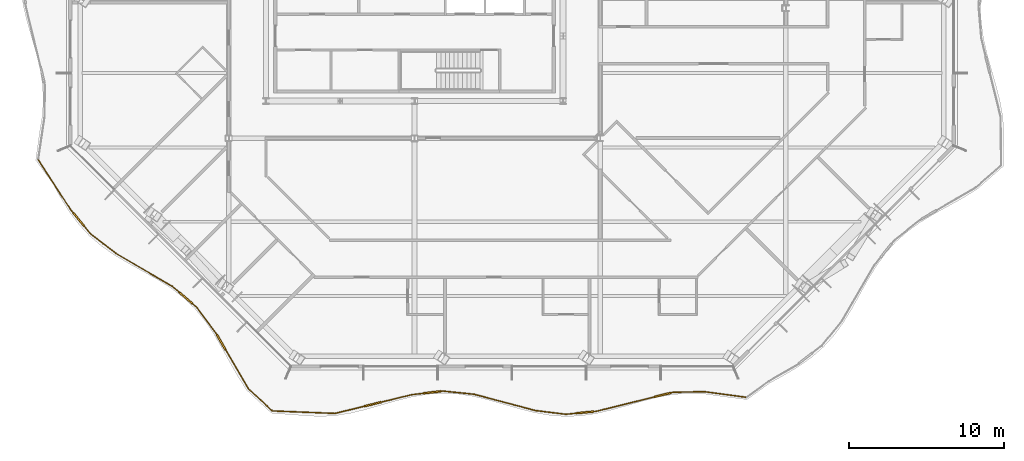
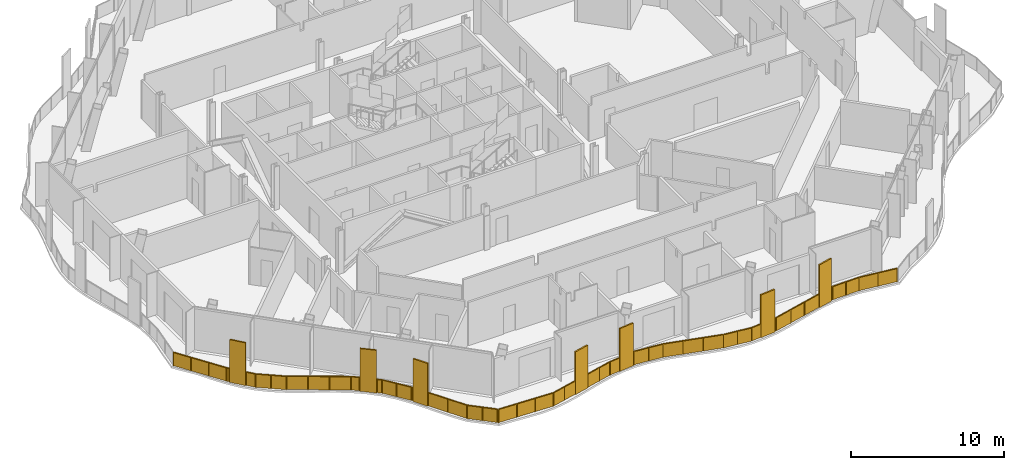
# One storey, part 15 of 19: 2 railings.
"""IFC4 building model written with IfcOpenShell, lengths in metres."""

from ifc_helpers import new_model, si_unit, direction, frame, origin, origin_2d, place, context, subcontext, project, spatial, polyline, rectangle, outline, extrude, material, type_object, element, save


model = new_model("IFC4")

# Units and contexts
model_context = context("Model", 3, precision=1e-05, world=origin(), true_north=direction((0.0, 1.0)))
body_context = subcontext(model_context, "Body", "Model", "MODEL_VIEW")
ifc_project = project(units=[si_unit("LENGTHUNIT", "METRE"), si_unit("AREAUNIT", "SQUARE_METRE"), si_unit("VOLUMEUNIT", "CUBIC_METRE"), si_unit("PLANEANGLEUNIT", "RADIAN"), si_unit("MASSUNIT", "GRAM", prefix="KILO")], contexts=[model_context])

# Site, building, storey
site_placement = place(None, origin())
site = spatial("IfcSite", under=ifc_project, at=site_placement, CompositionType="ELEMENT")
building_placement = place(site_placement, origin())
building = spatial("IfcBuilding", under=site, at=building_placement, Name="Cairn Pilgrim Tower", CompositionType="ELEMENT")
storey_placement = place(building_placement, frame((0.0, 0.0, 193.800048828125)))
storey = spatial("IfcBuildingStorey", under=building, at=storey_placement, Name="L49", CompositionType="ELEMENT", Elevation=193.800048828125)

# Railings
ifc_material = material(Name="Bronze anodised aluminium rail, posts and fin screens with laminated glass infill", Category="aluminium")
railing_type = type_object("IfcRailingType", Name="BALCONY GUARD WITH FIN SCREENS", PredefinedType="GUARDRAIL", material=ifc_material)
railing_1_placement = place(storey_placement, frame((-1.990234375, -26.03271484375, 0.0)))
element("IfcRailing", 1, at=railing_1_placement, inside=storey, type_object=railing_type, Name="Balcony guard BGF-1 with fin screens", PredefinedType="GUARDRAIL", context=body_context, shape_type="SweptSolid", body=[
    extrude(rectangle(XDim=0.050048828125, YDim=0.050048828125, at=origin_2d()), frame((0.0, 0.0, 1.0751953125), z_axis=(0.999204031425, -0.039891146675, 0.0), x_axis=(0.039891146675, 0.999204031425, 0.0)), (0.0, 0.0, 1.0), 4.0576171875),
    extrude(rectangle(XDim=1.10009765625, YDim=0.110107421875, at=origin_2d()), frame((6.4892578125, 0.433349609375, 0.0), z_axis=(0.0, 0.0, 1.0), x_axis=(0.971390908523, 0.237486216104, 0.0)), (0.0, 0.0, 1.0), 3.39990234375),
    extrude(rectangle(XDim=0.050048828125, YDim=0.050048828125, at=origin_2d()), frame((4.054443359375, -0.161865234375, 1.0751953125), z_axis=(0.971390908523, 0.237486216104, 0.0), x_axis=(-0.237486216104, 0.971390908523, 0.0)), (0.0, 0.0, 1.0), 1.95654296875),
    extrude(rectangle(XDim=0.050048828125, YDim=0.050048828125, at=origin_2d()), frame((7.0234375, 0.56396484375, 1.0751953125), z_axis=(0.971390908523, 0.237486216104, 0.0), x_axis=(-0.237486216104, 0.971390908523, 0.0)), (0.0, 0.0, 1.0), 2.043701171875),
    extrude(rectangle(XDim=1.10009765625, YDim=0.110107421875, at=origin_2d()), frame((10.324951171875, 1.20263671875, 0.0), z_axis=(0.0, 0.0, 1.0), x_axis=(0.993295474853, 0.115603199076, 0.0)), (0.0, 0.0, 1.0), 3.39990234375),
    extrude(rectangle(XDim=0.050048828125, YDim=0.050048828125, at=origin_2d()), frame((9.008544921875, 1.04931640625, 1.0751953125), z_axis=(0.993295474853, 0.115603199076, 0.0), x_axis=(-0.115603199076, 0.993295474853, 0.0)), (0.0, 0.0, 1.0), 0.775390625),
    extrude(rectangle(XDim=0.050048828125, YDim=0.050048828125, at=origin_2d()), frame((10.871337890625, 1.26611328125, 1.0751953125), z_axis=(0.993295474853, 0.115603199076, 0.0), x_axis=(-0.115603199076, 0.993295474853, 0.0)), (0.0, 0.0, 1.0), 0.14990234375),
    extrude(rectangle(XDim=0.050048828125, YDim=0.050048828125, at=origin_2d()), frame((11.020263671875, 1.283447265625, 1.0751953125), z_axis=(0.994844327286, -0.101413827788, 0.0), x_axis=(0.101413827788, 0.994844327286, 0.0)), (0.0, 0.0, 1.0), 2.024658203125),
    extrude(rectangle(XDim=0.050048828125, YDim=0.050048828125, at=origin_2d()), frame((13.034423828125, 1.078125, 1.0751953125), z_axis=(0.966537824594, -0.256524138493, 0.0), x_axis=(0.256524138493, 0.966537824594, 0.0)), (0.0, 0.0, 1.0), 4.111572265625),
    extrude(rectangle(XDim=0.050048828125, YDim=0.050048828125, at=origin_2d()), frame((17.00830078125, 0.0234375, 1.0751953125), z_axis=(0.992644427735, -0.121066263206, 0.0), x_axis=(0.121066263206, 0.992644427735, 0.0)), (0.0, 0.0, 1.0), 1.97412109375),
    extrude(rectangle(XDim=1.10009765625, YDim=0.110107421875, at=origin_2d()), frame((20.230224609375, -0.09423828125, 0.0), z_axis=(0.0, 0.0, 1.0), x_axis=(0.995415391014, 0.09564621965, 0.0)), (0.0, 0.0, 1.0), 3.39990234375),
    extrude(rectangle(XDim=0.050048828125, YDim=0.050048828125, at=origin_2d()), frame((18.968017578125, -0.215576171875, 1.0751953125), z_axis=(0.995415391014, 0.09564621965, 0.0), x_axis=(-0.09564621965, 0.995415391014, 0.0)), (0.0, 0.0, 1.0), 0.718017578125),
    extrude(rectangle(XDim=0.050048828125, YDim=0.050048828125, at=origin_2d()), frame((20.77783203125, -0.041748046875, 1.0751953125), z_axis=(0.995415391014, 0.09564621965, 0.0), x_axis=(-0.09564621965, 0.995415391014, 0.0)), (0.0, 0.0, 1.0), 0.14990234375),
    extrude(rectangle(XDim=1.10009765625, YDim=0.110107421875, at=origin_2d()), frame((25.218505859375, 1.035888671875, 0.0), z_axis=(0.0, 0.0, 1.0), x_axis=(0.970647941455, 0.240504831032, 0.0)), (0.0, 0.0, 1.0), 3.39990234375),
    extrude(rectangle(XDim=0.050048828125, YDim=0.050048828125, at=origin_2d()), frame((20.927001953125, -0.02734375, 1.0751953125), z_axis=(0.970647941455, 0.240504831032, 0.0), x_axis=(-0.240504831032, 0.970647941455, 0.0)), (0.0, 0.0, 1.0), 3.871337890625),
    extrude(rectangle(XDim=0.050048828125, YDim=0.050048828125, at=origin_2d()), frame((25.75244140625, 1.168212890625, 1.0751953125), z_axis=(0.970647941455, 0.240504831032, 0.0), x_axis=(-0.240504831032, 0.970647941455, 0.0)), (0.0, 0.0, 1.0), 0.14990234375),
    extrude(rectangle(XDim=0.050048828125, YDim=0.050048828125, at=origin_2d()), frame((25.89794921875, 1.204345703125, 1.0751953125), z_axis=(0.999797727912, 0.020112266461, 0.0), x_axis=(-0.020112266461, 0.999797727912, 0.0)), (0.0, 0.0, 1.0), 2.01513671875),
    extrude(rectangle(XDim=0.050048828125, YDim=0.050048828125, at=origin_2d()), frame((27.91259765625, 1.244873046875, 1.0751953125), z_axis=(0.991166834119, -0.132620914424, 0.0), x_axis=(0.132620914424, 0.991166834119, 0.0)), (0.0, 0.0, 1.0), 2.693115234375),
    extrude(rectangle(XDim=0.050048828125, YDim=0.050048828125, at=origin_2d()), origin(), (0.0, 0.0, 1.0), 1.050048828125),
    extrude(rectangle(XDim=0.050048828125, YDim=0.050048828125, at=origin_2d()), frame((1.3515625, -0.053955078125, 0.0)), (0.0, 0.0, 1.0), 1.050048828125),
    extrude(rectangle(XDim=0.050048828125, YDim=0.050048828125, at=origin_2d()), frame((2.702880859375, -0.10791015625, 0.0)), (0.0, 0.0, 1.0), 1.050048828125),
    extrude(rectangle(XDim=0.050048828125, YDim=0.050048828125, at=origin_2d()), frame((4.054443359375, -0.161865234375, 0.0)), (0.0, 0.0, 1.0), 1.050048828125),
    extrude(rectangle(XDim=0.050048828125, YDim=0.050048828125, at=origin_2d()), frame((4.992431640625, 0.0673828125, 0.0)), (0.0, 0.0, 1.0), 1.050048828125),
    extrude(rectangle(XDim=0.050048828125, YDim=0.050048828125, at=origin_2d()), frame((5.9306640625, 0.296875, 0.0)), (0.0, 0.0, 1.0), 1.050048828125),
    extrude(rectangle(XDim=0.050048828125, YDim=0.050048828125, at=origin_2d()), frame((7.0478515625, 0.56982421875, 0.0)), (0.0, 0.0, 1.0), 1.050048828125),
    extrude(rectangle(XDim=0.050048828125, YDim=0.050048828125, at=origin_2d()), frame((8.028076171875, 0.8095703125, 0.0)), (0.0, 0.0, 1.0), 1.050048828125),
    extrude(rectangle(XDim=0.050048828125, YDim=0.050048828125, at=origin_2d()), frame((9.008544921875, 1.04931640625, 0.0)), (0.0, 0.0, 1.0), 1.050048828125),
    extrude(rectangle(XDim=0.050048828125, YDim=0.050048828125, at=origin_2d()), frame((9.75390625, 1.135986328125, 0.0)), (0.0, 0.0, 1.0), 1.050048828125),
    extrude(rectangle(XDim=0.050048828125, YDim=0.050048828125, at=origin_2d()), frame((10.896240234375, 1.26904296875, 0.0)), (0.0, 0.0, 1.0), 1.050048828125),
    extrude(rectangle(XDim=0.050048828125, YDim=0.050048828125, at=origin_2d()), frame((11.020263671875, 1.283447265625, 0.0)), (0.0, 0.0, 1.0), 1.050048828125),
    extrude(rectangle(XDim=0.050048828125, YDim=0.050048828125, at=origin_2d()), frame((12.02734375, 1.1806640625, 0.0)), (0.0, 0.0, 1.0), 1.050048828125),
    extrude(rectangle(XDim=0.050048828125, YDim=0.050048828125, at=origin_2d()), frame((13.034423828125, 1.078125, 0.0)), (0.0, 0.0, 1.0), 1.050048828125),
    extrude(rectangle(XDim=0.050048828125, YDim=0.050048828125, at=origin_2d()), frame((14.359130859375, 0.7265625, 0.0)), (0.0, 0.0, 1.0), 1.050048828125),
    extrude(rectangle(XDim=0.050048828125, YDim=0.050048828125, at=origin_2d()), frame((15.68359375, 0.375, 0.0)), (0.0, 0.0, 1.0), 1.050048828125),
    extrude(rectangle(XDim=0.050048828125, YDim=0.050048828125, at=origin_2d()), frame((17.00830078125, 0.0234375, 0.0)), (0.0, 0.0, 1.0), 1.050048828125),
    extrude(rectangle(XDim=0.050048828125, YDim=0.050048828125, at=origin_2d()), frame((17.98828125, -0.09619140625, 0.0)), (0.0, 0.0, 1.0), 1.050048828125),
    extrude(rectangle(XDim=0.050048828125, YDim=0.050048828125, at=origin_2d()), frame((18.968017578125, -0.215576171875, 0.0)), (0.0, 0.0, 1.0), 1.050048828125),
    extrude(rectangle(XDim=0.050048828125, YDim=0.050048828125, at=origin_2d()), frame((19.657958984375, -0.1494140625, 0.0)), (0.0, 0.0, 1.0), 1.050048828125),
    extrude(rectangle(XDim=0.050048828125, YDim=0.050048828125, at=origin_2d()), frame((20.802734375, -0.039306640625, 0.0)), (0.0, 0.0, 1.0), 1.050048828125),
    extrude(rectangle(XDim=0.050048828125, YDim=0.050048828125, at=origin_2d()), frame((20.927001953125, -0.02734375, 0.0)), (0.0, 0.0, 1.0), 1.050048828125),
    extrude(rectangle(XDim=0.050048828125, YDim=0.050048828125, at=origin_2d()), frame((22.17138671875, 0.281005859375, 0.0)), (0.0, 0.0, 1.0), 1.050048828125),
    extrude(rectangle(XDim=0.050048828125, YDim=0.050048828125, at=origin_2d()), frame((23.416015625, 0.58935546875, 0.0)), (0.0, 0.0, 1.0), 1.050048828125),
    extrude(rectangle(XDim=0.050048828125, YDim=0.050048828125, at=origin_2d()), frame((24.660400390625, 0.897705078125, 0.0)), (0.0, 0.0, 1.0), 1.050048828125),
    extrude(rectangle(XDim=0.050048828125, YDim=0.050048828125, at=origin_2d()), frame((25.776611328125, 1.17431640625, 0.0)), (0.0, 0.0, 1.0), 1.050048828125),
    extrude(rectangle(XDim=0.050048828125, YDim=0.050048828125, at=origin_2d()), frame((25.89794921875, 1.204345703125, 0.0)), (0.0, 0.0, 1.0), 1.050048828125),
    extrude(rectangle(XDim=0.050048828125, YDim=0.050048828125, at=origin_2d()), frame((26.9052734375, 1.224609375, 0.0)), (0.0, 0.0, 1.0), 1.050048828125),
    extrude(rectangle(XDim=0.050048828125, YDim=0.050048828125, at=origin_2d()), frame((27.91259765625, 1.244873046875, 0.0)), (0.0, 0.0, 1.0), 1.050048828125),
    extrude(rectangle(XDim=0.050048828125, YDim=0.050048828125, at=origin_2d()), frame((29.247314453125, 1.06640625, 0.0)), (0.0, 0.0, 1.0), 1.050048828125),
    extrude(rectangle(XDim=0.050048828125, YDim=0.050048828125, at=origin_2d()), frame((30.58203125, 0.8876953125, 0.0)), (0.0, 0.0, 1.0), 1.050048828125),
    extrude(outline(polyline([(0.02490234375, 0.0), (1.32763671875, 0.0), (1.32763671875, 1.050048828125), (0.02490234375, 1.050048828125), (0.02490234375, 0.0)])), frame((0.000244140625, 0.005859375, 0.0), z_axis=(-0.039891146675, -0.999204031425, 0.0), x_axis=(0.999204031425, -0.039891146675, 0.0)), (0.0, 0.0, 1.0), 0.011962890625),
    extrude(outline(polyline([(0.02490234375, 0.0), (1.32763671875, 0.0), (1.32763671875, 1.050048828125), (0.02490234375, 1.050048828125), (0.02490234375, 0.0)])), frame((1.351806640625, -0.048095703125, 0.0), z_axis=(-0.039891146675, -0.999204031425, 0.0), x_axis=(0.999204031425, -0.039891146675, 0.0)), (0.0, 0.0, 1.0), 0.011962890625),
    extrude(outline(polyline([(0.02490234375, 0.0), (1.32763671875, 0.0), (1.32763671875, 1.050048828125), (0.02490234375, 1.050048828125), (0.02490234375, 0.0)])), frame((2.703125, -0.10205078125, 0.0), z_axis=(-0.039891146675, -0.999204031425, 0.0), x_axis=(0.999204031425, -0.039891146675, 0.0)), (0.0, 0.0, 1.0), 0.011962890625),
    extrude(outline(polyline([(0.02490234375, 0.0), (0.940673828125, 0.0), (0.940673828125, 1.050048828125), (0.02490234375, 1.050048828125), (0.02490234375, 0.0)])), frame((4.052978515625, -0.156005859375, 0.0), z_axis=(0.237486216104, -0.971390908523, 0.0), x_axis=(0.971390908523, 0.237486216104, 0.0)), (0.0, 0.0, 1.0), 0.011962890625),
    extrude(outline(polyline([(0.02490234375, 0.0), (0.940673828125, 0.0), (0.940673828125, 1.050048828125), (0.02490234375, 1.050048828125), (0.02490234375, 0.0)])), frame((4.9912109375, 0.0732421875, 0.0), z_axis=(0.237486216104, -0.971390908523, 0.0), x_axis=(0.971390908523, 0.237486216104, 0.0)), (0.0, 0.0, 1.0), 0.011962890625),
    extrude(outline(polyline([(0.02490234375, 0.0), (0.984375, 0.0), (0.984375, 1.050048828125), (0.02490234375, 1.050048828125), (0.02490234375, 0.0)])), frame((7.04638671875, 0.57568359375, 0.0), z_axis=(0.237486216104, -0.971390908523, 0.0), x_axis=(0.971390908523, 0.237486216104, 0.0)), (0.0, 0.0, 1.0), 0.011962890625),
    extrude(outline(polyline([(0.02490234375, 0.0), (0.984375, 0.0), (0.984375, 1.050048828125), (0.02490234375, 1.050048828125), (0.02490234375, 0.0)])), frame((8.026611328125, 0.8154296875, 0.0), z_axis=(0.237486216104, -0.971390908523, 0.0), x_axis=(0.971390908523, 0.237486216104, 0.0)), (0.0, 0.0, 1.0), 0.011962890625),
    extrude(outline(polyline([(0.02490234375, 0.0), (0.725341796875, 0.0), (0.725341796875, 1.050048828125), (0.02490234375, 1.050048828125), (0.02490234375, 0.0)])), frame((9.0078125, 1.05517578125, 0.0), z_axis=(0.115603199076, -0.993295474853, 0.0), x_axis=(0.993295474853, 0.115603199076, 0.0)), (0.0, 0.0, 1.0), 0.011962890625),
    extrude(outline(polyline([(0.02490234375, 0.0), (0.099853515625, 0.0), (0.099853515625, 1.050048828125), (0.02490234375, 1.050048828125), (0.02490234375, 0.0)])), frame((10.8955078125, 1.27490234375, 0.0), z_axis=(0.115603199076, -0.993295474853, 0.0), x_axis=(0.993295474853, 0.115603199076, 0.0)), (0.0, 0.0, 1.0), 0.011962890625),
    extrude(outline(polyline([(0.02490234375, 0.0), (0.9873046875, 0.0), (0.9873046875, 1.050048828125), (0.02490234375, 1.050048828125), (0.02490234375, 0.0)])), frame((11.020751953125, 1.289306640625, 0.0), z_axis=(-0.101413827788, -0.994844327286, 0.0), x_axis=(0.994844327286, -0.101413827788, 0.0)), (0.0, 0.0, 1.0), 0.011962890625),
    extrude(outline(polyline([(0.02490234375, 0.0), (0.9873046875, 0.0), (0.9873046875, 1.050048828125), (0.02490234375, 1.050048828125), (0.02490234375, 0.0)])), frame((12.02783203125, 1.186767578125, 0.0), z_axis=(-0.101413827788, -0.994844327286, 0.0), x_axis=(0.994844327286, -0.101413827788, 0.0)), (0.0, 0.0, 1.0), 0.011962890625),
    extrude(outline(polyline([(0.02490234375, 0.0), (1.345458984375, 0.0), (1.345458984375, 1.050048828125), (0.02490234375, 1.050048828125), (0.02490234375, 0.0)])), frame((13.035888671875, 1.083984375, 0.0), z_axis=(-0.256524138493, -0.966537824594, 0.0), x_axis=(0.966537824594, -0.256524138493, 0.0)), (0.0, 0.0, 1.0), 0.011962890625),
    extrude(outline(polyline([(0.02490234375, 0.0), (1.345458984375, 0.0), (1.345458984375, 1.050048828125), (0.02490234375, 1.050048828125), (0.02490234375, 0.0)])), frame((14.360595703125, 0.732421875, 0.0), z_axis=(-0.256524138493, -0.966537824594, 0.0), x_axis=(0.966537824594, -0.256524138493, 0.0)), (0.0, 0.0, 1.0), 0.011962890625),
    extrude(outline(polyline([(0.02490234375, 0.0), (1.345458984375, 0.0), (1.345458984375, 1.050048828125), (0.02490234375, 1.050048828125), (0.02490234375, 0.0)])), frame((15.685302734375, 0.380859375, 0.0), z_axis=(-0.256524138493, -0.966537824594, 0.0), x_axis=(0.966537824594, -0.256524138493, 0.0)), (0.0, 0.0, 1.0), 0.011962890625),
    extrude(outline(polyline([(0.02490234375, 0.0), (0.962158203125, 0.0), (0.962158203125, 1.050048828125), (0.02490234375, 1.050048828125), (0.02490234375, 0.0)])), frame((17.009033203125, 0.029296875, 0.0), z_axis=(-0.121066263206, -0.992644427735, 0.0), x_axis=(0.992644427735, -0.121066263206, 0.0)), (0.0, 0.0, 1.0), 0.011962890625),
    extrude(outline(polyline([(0.02490234375, 0.0), (0.962158203125, 0.0), (0.962158203125, 1.050048828125), (0.02490234375, 1.050048828125), (0.02490234375, 0.0)])), frame((17.98876953125, -0.090087890625, 0.0), z_axis=(-0.121066263206, -0.992644427735, 0.0), x_axis=(0.992644427735, -0.121066263206, 0.0)), (0.0, 0.0, 1.0), 0.011962890625),
    extrude(outline(polyline([(0.02490234375, 0.0), (0.66796875, 0.0), (0.66796875, 1.050048828125), (0.02490234375, 1.050048828125), (0.02490234375, 0.0)])), frame((18.967529296875, -0.209716796875, 0.0), z_axis=(0.09564621965, -0.995415391014, 0.0), x_axis=(0.995415391014, 0.09564621965, 0.0)), (0.0, 0.0, 1.0), 0.011962890625),
    extrude(outline(polyline([(0.02490234375, 0.0), (0.099853515625, 0.0), (0.099853515625, 1.050048828125), (0.02490234375, 1.050048828125), (0.02490234375, 0.0)])), frame((20.802001953125, -0.033447265625, 0.0), z_axis=(0.09564621965, -0.995415391014, 0.0), x_axis=(0.995415391014, 0.09564621965, 0.0)), (0.0, 0.0, 1.0), 0.011962890625),
    extrude(outline(polyline([(0.02490234375, 0.0), (1.257080078125, 0.0), (1.257080078125, 1.050048828125), (0.02490234375, 1.050048828125), (0.02490234375, 0.0)])), frame((20.925537109375, -0.021484375, 0.0), z_axis=(0.240504831032, -0.970647941455, 0.0), x_axis=(0.970647941455, 0.240504831032, 0.0)), (0.0, 0.0, 1.0), 0.011962890625),
    extrude(outline(polyline([(0.02490234375, 0.0), (1.257080078125, 0.0), (1.257080078125, 1.050048828125), (0.02490234375, 1.050048828125), (0.02490234375, 0.0)])), frame((22.169921875, 0.286865234375, 0.0), z_axis=(0.240504831032, -0.970647941455, 0.0), x_axis=(0.970647941455, 0.240504831032, 0.0)), (0.0, 0.0, 1.0), 0.011962890625),
    extrude(outline(polyline([(0.02490234375, 0.0), (1.257080078125, 0.0), (1.257080078125, 1.050048828125), (0.02490234375, 1.050048828125), (0.02490234375, 0.0)])), frame((23.41455078125, 0.59521484375, 0.0), z_axis=(0.240504831032, -0.970647941455, 0.0), x_axis=(0.970647941455, 0.240504831032, 0.0)), (0.0, 0.0, 1.0), 0.011962890625),
    extrude(outline(polyline([(0.02490234375, 0.0), (0.099853515625, 0.0), (0.099853515625, 1.050048828125), (0.02490234375, 1.050048828125), (0.02490234375, 0.0)])), frame((25.775146484375, 1.18017578125, 0.0), z_axis=(0.240504831032, -0.970647941455, 0.0), x_axis=(0.970647941455, 0.240504831032, 0.0)), (0.0, 0.0, 1.0), 0.011962890625),
    extrude(outline(polyline([(0.02490234375, 0.0), (0.982421875, 0.0), (0.982421875, 1.050048828125), (0.02490234375, 1.050048828125), (0.02490234375, 0.0)])), frame((25.89794921875, 1.210205078125, 0.0), z_axis=(0.020112266461, -0.999797727912, 0.0), x_axis=(0.999797727912, 0.020112266461, 0.0)), (0.0, 0.0, 1.0), 0.011962890625),
    extrude(outline(polyline([(0.02490234375, 0.0), (0.982421875, 0.0), (0.982421875, 1.050048828125), (0.02490234375, 1.050048828125), (0.02490234375, 0.0)])), frame((26.9052734375, 1.23046875, 0.0), z_axis=(0.020112266461, -0.999797727912, 0.0), x_axis=(0.999797727912, 0.020112266461, 0.0)), (0.0, 0.0, 1.0), 0.011962890625),
    extrude(outline(polyline([(0.02490234375, 0.0), (1.321533203125, 0.0), (1.321533203125, 1.050048828125), (0.02490234375, 1.050048828125), (0.02490234375, 0.0)])), frame((27.913330078125, 1.250732421875, 0.0), z_axis=(-0.132620914424, -0.991166834119, 0.0), x_axis=(0.991166834119, -0.132620914424, 0.0)), (0.0, 0.0, 1.0), 0.011962890625),
    extrude(outline(polyline([(0.02490234375, 0.0), (1.321533203125, 0.0), (1.321533203125, 1.050048828125), (0.02490234375, 1.050048828125), (0.02490234375, 0.0)])), frame((29.248046875, 1.072265625, 0.0), z_axis=(-0.132620914424, -0.991166834119, 0.0), x_axis=(0.991166834119, -0.132620914424, 0.0)), (0.0, 0.0, 1.0), 0.011962890625),
])
railing_2_placement = place(storey_placement, frame((-17.132080078125, -9.78955078125, 0.0)))
element("IfcRailing", 2, at=railing_2_placement, inside=storey, type_object=railing_type, Name="Balcony guard BGF-8 with fin screens", PredefinedType="GUARDRAIL", context=body_context, shape_type="SweptSolid", body=[
    extrude(rectangle(XDim=0.050048828125, YDim=0.050048828125, at=origin_2d()), frame((0.0, 0.0, 1.0751953125), z_axis=(0.545199621841, -0.83830625212, 0.0), x_axis=(0.83830625212, 0.545199621841, 0.0)), (0.0, 0.0, 1.0), 3.89892578125),
    extrude(rectangle(XDim=1.10009765625, YDim=0.110107421875, at=origin_2d()), frame((2.62841796875, -3.873046875, 0.0), z_axis=(0.0, 0.0, 1.0), x_axis=(0.639268348959, -0.76898373066, 0.0)), (0.0, 0.0, 1.0), 3.39990234375),
    extrude(rectangle(XDim=0.050048828125, YDim=0.050048828125, at=origin_2d()), frame((2.125732421875, -3.2685546875, 1.0751953125), z_axis=(0.639268348959, -0.76898373066, 0.0), x_axis=(0.76898373066, 0.639268348959, 0.0)), (0.0, 0.0, 1.0), 0.236083984375),
    extrude(rectangle(XDim=0.050048828125, YDim=0.050048828125, at=origin_2d()), frame((2.97998046875, -4.296142578125, 1.0751953125), z_axis=(0.639268348959, -0.76898373066, 0.0), x_axis=(0.76898373066, 0.639268348959, 0.0)), (0.0, 0.0, 1.0), 0.683349609375),
    extrude(rectangle(XDim=0.050048828125, YDim=0.050048828125, at=origin_2d()), frame((3.416748046875, -4.821533203125, 1.0751953125), z_axis=(0.792673225692, -0.609646747938, 0.0), x_axis=(0.609646747938, 0.792673225692, 0.0)), (0.0, 0.0, 1.0), 2.027587890625),
    extrude(rectangle(XDim=0.050048828125, YDim=0.050048828125, at=origin_2d()), frame((5.02392578125, -6.0576171875, 1.0751953125), z_axis=(0.863604497181, -0.504169884512, 0.0), x_axis=(0.504169884512, 0.863604497181, 0.0)), (0.0, 0.0, 1.0), 4.21533203125),
    extrude(rectangle(XDim=1.10009765625, YDim=0.110107421875, at=origin_2d()), frame((9.5400390625, -8.93408203125, 0.0), z_axis=(0.0, 0.0, 1.0), x_axis=(0.758940550376, -0.651159919677, 0.0)), (0.0, 0.0, 1.0), 3.39990234375),
    extrude(rectangle(XDim=0.050048828125, YDim=0.050048828125, at=origin_2d()), frame((8.664306640625, -8.182861328125, 1.0751953125), z_axis=(0.758940550376, -0.651159919677, 0.0), x_axis=(0.651159919677, 0.758940550376, 0.0)), (0.0, 0.0, 1.0), 0.603759765625),
    extrude(rectangle(XDim=0.050048828125, YDim=0.050048828125, at=origin_2d()), frame((9.957275390625, -9.292236328125, 1.0751953125), z_axis=(0.758940550376, -0.651159919677, 0.0), x_axis=(0.651159919677, 0.758940550376, 0.0)), (0.0, 0.0, 1.0), 0.368896484375),
    extrude(rectangle(XDim=0.050048828125, YDim=0.050048828125, at=origin_2d()), frame((10.2373046875, -9.532470703125, 1.0751953125), z_axis=(0.59832937357, -0.801250248501, 0.0), x_axis=(0.801250248501, 0.59832937357, 0.0)), (0.0, 0.0, 1.0), 2.08251953125),
    extrude(rectangle(XDim=1.10009765625, YDim=0.110107421875, at=origin_2d()), frame((11.83740234375, -11.804931640625, 0.0), z_axis=(0.0, 0.0, 1.0), x_axis=(0.505765796848, -0.862670828728, 0.0)), (0.0, 0.0, 1.0), 3.39990234375),
    extrude(rectangle(XDim=0.050048828125, YDim=0.050048828125, at=origin_2d()), frame((11.4833984375, -11.201171875, 1.0751953125), z_axis=(0.505765796848, -0.862670828728, 0.0), x_axis=(0.862670828728, 0.505765796848, 0.0)), (0.0, 0.0, 1.0), 0.14990234375),
    extrude(rectangle(XDim=0.050048828125, YDim=0.050048828125, at=origin_2d()), frame((12.115478515625, -12.279296875, 1.0751953125), z_axis=(0.505765796848, -0.862670828728, 0.0), x_axis=(0.862670828728, 0.505765796848, 0.0)), (0.0, 0.0, 1.0), 2.9453125),
    extrude(rectangle(XDim=0.050048828125, YDim=0.050048828125, at=origin_2d()), frame((13.605224609375, -14.8203125, 1.0751953125), z_axis=(0.733711917573, -0.679460684669, 0.0), x_axis=(0.679460684669, 0.733711917573, 0.0)), (0.0, 0.0, 1.0), 2.0341796875),
    extrude(rectangle(XDim=0.050048828125, YDim=0.050048828125, at=origin_2d()), origin(), (0.0, 0.0, 1.0), 1.050048828125),
    extrude(rectangle(XDim=0.050048828125, YDim=0.050048828125, at=origin_2d()), frame((0.70849609375, -1.089599609375, 0.0)), (0.0, 0.0, 1.0), 1.050048828125),
    extrude(rectangle(XDim=0.050048828125, YDim=0.050048828125, at=origin_2d()), frame((1.417236328125, -2.178955078125, 0.0)), (0.0, 0.0, 1.0), 1.050048828125),
    extrude(rectangle(XDim=0.050048828125, YDim=0.050048828125, at=origin_2d()), frame((2.125732421875, -3.2685546875, 0.0)), (0.0, 0.0, 1.0), 1.050048828125),
    extrude(rectangle(XDim=0.050048828125, YDim=0.050048828125, at=origin_2d()), frame((2.2607421875, -3.430908203125, 0.0)), (0.0, 0.0, 1.0), 1.050048828125),
    extrude(rectangle(XDim=0.050048828125, YDim=0.050048828125, at=origin_2d()), frame((2.995849609375, -4.3154296875, 0.0)), (0.0, 0.0, 1.0), 1.050048828125),
    extrude(rectangle(XDim=0.050048828125, YDim=0.050048828125, at=origin_2d()), frame((3.416748046875, -4.821533203125, 0.0)), (0.0, 0.0, 1.0), 1.050048828125),
    extrude(rectangle(XDim=0.050048828125, YDim=0.050048828125, at=origin_2d()), frame((4.22021484375, -5.439453125, 0.0)), (0.0, 0.0, 1.0), 1.050048828125),
    extrude(rectangle(XDim=0.050048828125, YDim=0.050048828125, at=origin_2d()), frame((5.02392578125, -6.0576171875, 0.0)), (0.0, 0.0, 1.0), 1.050048828125),
    extrude(rectangle(XDim=0.050048828125, YDim=0.050048828125, at=origin_2d()), frame((6.2373046875, -6.76611328125, 0.0)), (0.0, 0.0, 1.0), 1.050048828125),
    extrude(rectangle(XDim=0.050048828125, YDim=0.050048828125, at=origin_2d()), frame((7.450927734375, -7.474365234375, 0.0)), (0.0, 0.0, 1.0), 1.050048828125),
    extrude(rectangle(XDim=0.050048828125, YDim=0.050048828125, at=origin_2d()), frame((8.664306640625, -8.182861328125, 0.0)), (0.0, 0.0, 1.0), 1.050048828125),
    extrude(rectangle(XDim=0.050048828125, YDim=0.050048828125, at=origin_2d()), frame((9.103515625, -8.559814453125, 0.0)), (0.0, 0.0, 1.0), 1.050048828125),
    extrude(rectangle(XDim=0.050048828125, YDim=0.050048828125, at=origin_2d()), frame((9.976318359375, -9.30859375, 0.0)), (0.0, 0.0, 1.0), 1.050048828125),
    extrude(rectangle(XDim=0.050048828125, YDim=0.050048828125, at=origin_2d()), frame((10.2373046875, -9.532470703125, 0.0)), (0.0, 0.0, 1.0), 1.050048828125),
    extrude(rectangle(XDim=0.050048828125, YDim=0.050048828125, at=origin_2d()), frame((10.8603515625, -10.36669921875, 0.0)), (0.0, 0.0, 1.0), 1.050048828125),
    extrude(rectangle(XDim=0.050048828125, YDim=0.050048828125, at=origin_2d()), frame((11.4833984375, -11.201171875, 0.0)), (0.0, 0.0, 1.0), 1.050048828125),
    extrude(rectangle(XDim=0.050048828125, YDim=0.050048828125, at=origin_2d()), frame((11.546630859375, -11.308837890625, 0.0)), (0.0, 0.0, 1.0), 1.050048828125),
    extrude(rectangle(XDim=0.050048828125, YDim=0.050048828125, at=origin_2d()), frame((12.128173828125, -12.301025390625, 0.0)), (0.0, 0.0, 1.0), 1.050048828125),
    extrude(rectangle(XDim=0.050048828125, YDim=0.050048828125, at=origin_2d()), frame((12.86669921875, -13.560546875, 0.0)), (0.0, 0.0, 1.0), 1.050048828125),
    extrude(rectangle(XDim=0.050048828125, YDim=0.050048828125, at=origin_2d()), frame((13.605224609375, -14.8203125, 0.0)), (0.0, 0.0, 1.0), 1.050048828125),
    extrude(rectangle(XDim=0.050048828125, YDim=0.050048828125, at=origin_2d()), frame((14.3515625, -15.51123046875, 0.0)), (0.0, 0.0, 1.0), 1.050048828125),
    extrude(rectangle(XDim=0.050048828125, YDim=0.050048828125, at=origin_2d()), frame((15.09765625, -16.202392578125, 0.0)), (0.0, 0.0, 1.0), 1.050048828125),
    extrude(outline(polyline([(0.02490234375, 0.0), (1.274658203125, 0.0), (1.274658203125, 1.050048828125), (0.02490234375, 1.050048828125), (0.02490234375, 0.0)])), frame((0.005126953125, 0.003173828125, 0.0), z_axis=(-0.83830625212, -0.545199621841, 0.0), x_axis=(0.545199621841, -0.83830625212, 0.0)), (0.0, 0.0, 1.0), 0.011962890625),
    extrude(outline(polyline([(0.02490234375, 0.0), (1.274658203125, 0.0), (1.274658203125, 1.050048828125), (0.02490234375, 1.050048828125), (0.02490234375, 0.0)])), frame((0.713623046875, -1.086181640625, 0.0), z_axis=(-0.83830625212, -0.545199621841, 0.0), x_axis=(0.545199621841, -0.83830625212, 0.0)), (0.0, 0.0, 1.0), 0.011962890625),
    extrude(outline(polyline([(0.02490234375, 0.0), (1.274658203125, 0.0), (1.274658203125, 1.050048828125), (0.02490234375, 1.050048828125), (0.02490234375, 0.0)])), frame((1.422119140625, -2.17578125, 0.0), z_axis=(-0.83830625212, -0.545199621841, 0.0), x_axis=(0.545199621841, -0.83830625212, 0.0)), (0.0, 0.0, 1.0), 0.011962890625),
    extrude(outline(polyline([(0.02490234375, 0.0), (0.18603515625, 0.0), (0.18603515625, 1.050048828125), (0.02490234375, 1.050048828125), (0.02490234375, 0.0)])), frame((2.13037109375, -3.2646484375, 0.0), z_axis=(-0.76898373066, -0.639268348959, 0.0), x_axis=(0.639268348959, -0.76898373066, 0.0)), (0.0, 0.0, 1.0), 0.011962890625),
    extrude(outline(polyline([(0.02490234375, 0.0), (0.63330078125, 0.0), (0.63330078125, 1.050048828125), (0.02490234375, 1.050048828125), (0.02490234375, 0.0)])), frame((3.00048828125, -4.3115234375, 0.0), z_axis=(-0.76898373066, -0.639268348959, 0.0), x_axis=(0.639268348959, -0.76898373066, 0.0)), (0.0, 0.0, 1.0), 0.011962890625),
    extrude(outline(polyline([(0.02490234375, 0.0), (0.98876953125, 0.0), (0.98876953125, 1.050048828125), (0.02490234375, 1.050048828125), (0.02490234375, 0.0)])), frame((3.42041015625, -4.81689453125, 0.0), z_axis=(-0.609646747938, -0.792673225692, 0.0), x_axis=(0.792673225692, -0.609646747938, 0.0)), (0.0, 0.0, 1.0), 0.011962890625),
    extrude(outline(polyline([(0.02490234375, 0.0), (0.98876953125, 0.0), (0.98876953125, 1.050048828125), (0.02490234375, 1.050048828125), (0.02490234375, 0.0)])), frame((4.223876953125, -5.434814453125, 0.0), z_axis=(-0.609646747938, -0.792673225692, 0.0), x_axis=(0.792673225692, -0.609646747938, 0.0)), (0.0, 0.0, 1.0), 0.011962890625),
    extrude(outline(polyline([(0.02490234375, 0.0), (1.380126953125, 0.0), (1.380126953125, 1.050048828125), (0.02490234375, 1.050048828125), (0.02490234375, 0.0)])), frame((5.02685546875, -6.052490234375, 0.0), z_axis=(-0.504169884512, -0.863604497181, 0.0), x_axis=(0.863604497181, -0.504169884512, 0.0)), (0.0, 0.0, 1.0), 0.011962890625),
    extrude(outline(polyline([(0.02490234375, 0.0), (1.380126953125, 0.0), (1.380126953125, 1.050048828125), (0.02490234375, 1.050048828125), (0.02490234375, 0.0)])), frame((6.240478515625, -6.760986328125, 0.0), z_axis=(-0.504169884512, -0.863604497181, 0.0), x_axis=(0.863604497181, -0.504169884512, 0.0)), (0.0, 0.0, 1.0), 0.011962890625),
    extrude(outline(polyline([(0.02490234375, 0.0), (1.380126953125, 0.0), (1.380126953125, 1.050048828125), (0.02490234375, 1.050048828125), (0.02490234375, 0.0)])), frame((7.453857421875, -7.46923828125, 0.0), z_axis=(-0.504169884512, -0.863604497181, 0.0), x_axis=(0.863604497181, -0.504169884512, 0.0)), (0.0, 0.0, 1.0), 0.011962890625),
    extrude(outline(polyline([(0.02490234375, 0.0), (0.5537109375, 0.0), (0.5537109375, 1.050048828125), (0.02490234375, 1.050048828125), (0.02490234375, 0.0)])), frame((8.668212890625, -8.17822265625, 0.0), z_axis=(-0.651159919677, -0.758940550376, 0.0), x_axis=(0.758940550376, -0.651159919677, 0.0)), (0.0, 0.0, 1.0), 0.011962890625),
    extrude(outline(polyline([(0.02490234375, 0.0), (0.31884765625, 0.0), (0.31884765625, 1.050048828125), (0.02490234375, 1.050048828125), (0.02490234375, 0.0)])), frame((9.980224609375, -9.303955078125, 0.0), z_axis=(-0.651159919677, -0.758940550376, 0.0), x_axis=(0.758940550376, -0.651159919677, 0.0)), (0.0, 0.0, 1.0), 0.011962890625),
    extrude(outline(polyline([(0.02490234375, 0.0), (1.016357421875, 0.0), (1.016357421875, 1.050048828125), (0.02490234375, 1.050048828125), (0.02490234375, 0.0)])), frame((10.2421875, -9.52880859375, 0.0), z_axis=(-0.801250248501, -0.59832937357, 0.0), x_axis=(0.59832937357, -0.801250248501, 0.0)), (0.0, 0.0, 1.0), 0.011962890625),
    extrude(outline(polyline([(0.02490234375, 0.0), (1.016357421875, 0.0), (1.016357421875, 1.050048828125), (0.02490234375, 1.050048828125), (0.02490234375, 0.0)])), frame((10.865234375, -10.36328125, 0.0), z_axis=(-0.801250248501, -0.59832937357, 0.0), x_axis=(0.59832937357, -0.801250248501, 0.0)), (0.0, 0.0, 1.0), 0.011962890625),
    extrude(outline(polyline([(0.02490234375, 0.0), (0.099853515625, 0.0), (0.099853515625, 1.050048828125), (0.02490234375, 1.050048828125), (0.02490234375, 0.0)])), frame((11.488525390625, -11.1982421875, 0.0), z_axis=(-0.862670828728, -0.505765796848, 0.0), x_axis=(0.505765796848, -0.862670828728, 0.0)), (0.0, 0.0, 1.0), 0.011962890625),
    extrude(outline(polyline([(0.02490234375, 0.0), (1.43505859375, 0.0), (1.43505859375, 1.050048828125), (0.02490234375, 1.050048828125), (0.02490234375, 0.0)])), frame((12.13330078125, -12.2978515625, 0.0), z_axis=(-0.862670828728, -0.505765796848, 0.0), x_axis=(0.505765796848, -0.862670828728, 0.0)), (0.0, 0.0, 1.0), 0.011962890625),
    extrude(outline(polyline([(0.02490234375, 0.0), (1.43505859375, 0.0), (1.43505859375, 1.050048828125), (0.02490234375, 1.050048828125), (0.02490234375, 0.0)])), frame((12.871826171875, -13.5576171875, 0.0), z_axis=(-0.862670828728, -0.505765796848, 0.0), x_axis=(0.505765796848, -0.862670828728, 0.0)), (0.0, 0.0, 1.0), 0.011962890625),
    extrude(outline(polyline([(0.02490234375, 0.0), (0.991943359375, 0.0), (0.991943359375, 1.050048828125), (0.02490234375, 1.050048828125), (0.02490234375, 0.0)])), frame((13.609375, -14.81591796875, 0.0), z_axis=(-0.679460684669, -0.733711917573, 0.0), x_axis=(0.733711917573, -0.679460684669, 0.0)), (0.0, 0.0, 1.0), 0.011962890625),
    extrude(outline(polyline([(0.02490234375, 0.0), (0.991943359375, 0.0), (0.991943359375, 1.050048828125), (0.02490234375, 1.050048828125), (0.02490234375, 0.0)])), frame((14.35546875, -15.507080078125, 0.0), z_axis=(-0.679460684669, -0.733711917573, 0.0), x_axis=(0.733711917573, -0.679460684669, 0.0)), (0.0, 0.0, 1.0), 0.011962890625),
])

save(model, "model.ifc")
